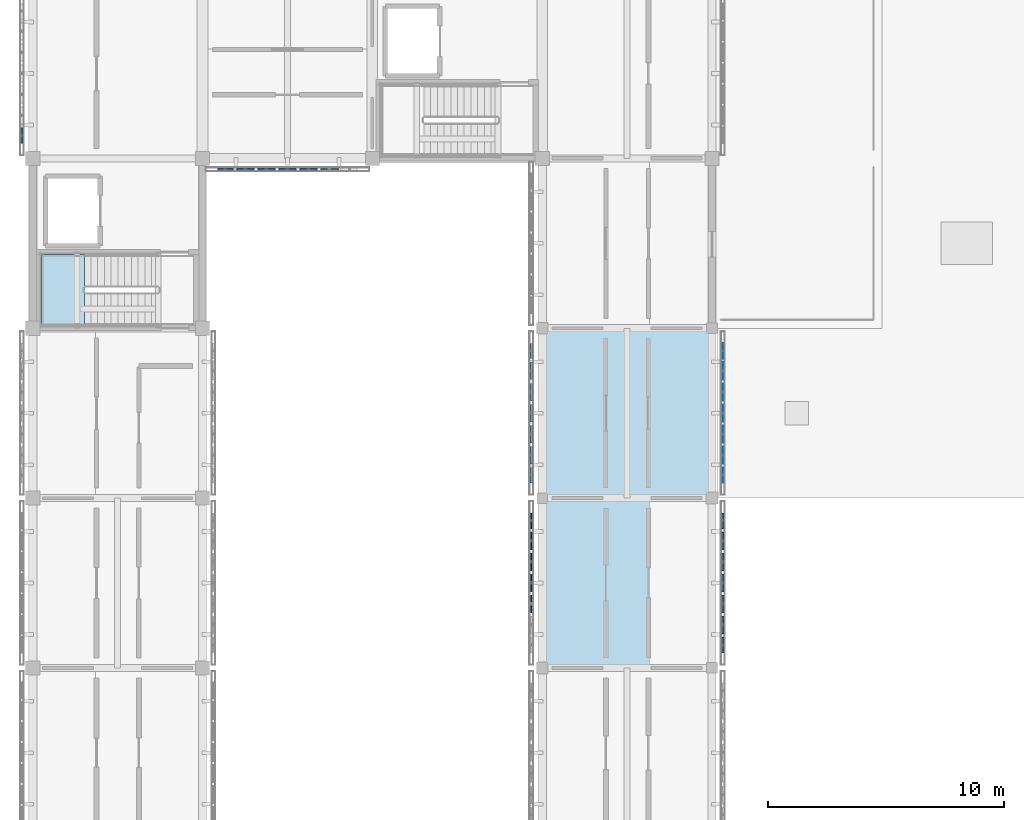
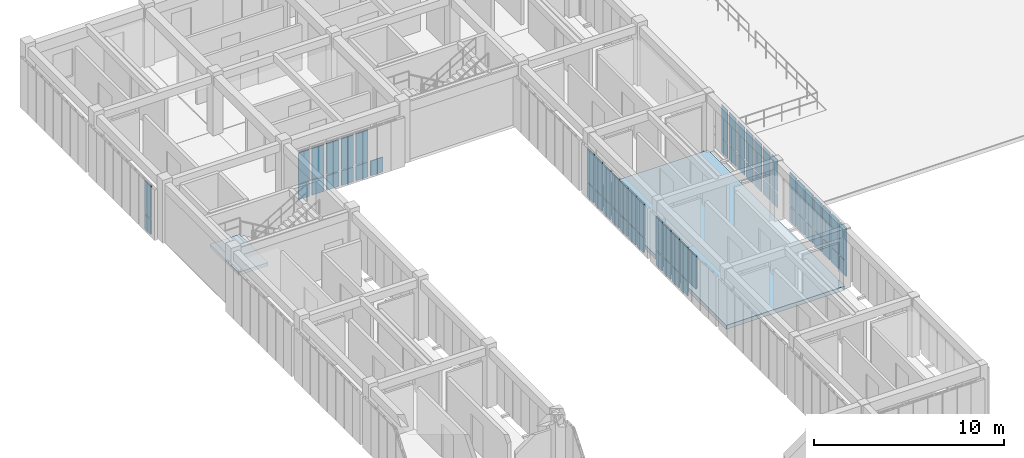
# One storey, part 41 of 67: 64 plates, 2 slabs, 7 elements without a shape of their own.
"""IFC4 building model written with IfcOpenShell, lengths in metres."""

import ifcopenshell
import ifcopenshell.guid

model = None  # the IFC model being written
_history = None  # IfcOwnerHistory: only IFC2X3 demands one
_inside = {}  # id of a spatial element -> (the spatial element, [elements in it])
_under = {}  # id of a project, library or spatial element -> (it, [spatial elements below it])
_declared = {}  # id of a project -> (the project, [libraries it declares])
_typed = {}  # id of a type object -> (the type object, [elements of that type])
_made_of = {}  # id of a material, layer set ... -> (it, [elements and type objects made of it])


def new_model(schema):
    """Start an empty IFC model of exactly this schema.

    Asked for "IFC4X3", IfcOpenShell would pick the latest addendum, in which some entities
    have other attributes; the version numbers below select the first issue.
    IFC2X3 requires an IfcOwnerHistory on every rooted entity: one is made here for all.
    """
    global model, _history
    if schema == "IFC4X3":
        model = ifcopenshell.file(schema_version=(4, 3, 0, 0))
    else:
        model = ifcopenshell.file(schema=schema)
    _inside.clear()
    _under.clear()
    _declared.clear()
    _typed.clear()
    _made_of.clear()
    _history = None
    if model.schema == "IFC2X3":
        org = make("IfcOrganization", Name="unknown")
        user = make(
            "IfcPersonAndOrganization",
            ThePerson=make("IfcPerson", FamilyName="unknown"),
            TheOrganization=org,
        )
        app = make(
            "IfcApplication",
            ApplicationDeveloper=org,
            Version="unknown",
            ApplicationFullName="unknown",
            ApplicationIdentifier="unknown",
        )
        _history = make(
            "IfcOwnerHistory",
            OwningUser=user,
            OwningApplication=app,
            ChangeAction="ADDED",
            CreationDate=0,
        )
    return model


def make(cls, **values):
    """One entity of the class cls with the attributes given. An attribute that is None is left unset."""
    return model.create_entity(
        cls, **{name: value for name, value in values.items() if value is not None}
    )


def rooted(cls, **values):
    """An entity with a GlobalId (a new one), such as an element, a storey or a relation."""
    return make(cls, GlobalId=ifcopenshell.guid.new(), OwnerHistory=_history, **values)


def si_unit(unit_type, name, prefix=None):
    """IfcSIUnit, for example si_unit("LENGTHUNIT", "METRE", prefix="MILLI")."""
    return make("IfcSIUnit", UnitType=unit_type, Prefix=prefix, Name=name)


def assignment(units):
    """IfcUnitAssignment: the units of a project."""
    return None if units is None else make("IfcUnitAssignment", Units=units)


def point(xyz):
    """IfcCartesianPoint."""
    return None if xyz is None else make("IfcCartesianPoint", Coordinates=xyz)


def direction(xyz):
    """IfcDirection."""
    return None if xyz is None else make("IfcDirection", DirectionRatios=xyz)


def frame(location, z_axis=None, x_axis=None):
    """IfcAxis2Placement3D, a coordinate frame: its origin and axes. An axis left out is left unset."""
    return make(
        "IfcAxis2Placement3D",
        Location=point(location),
        Axis=direction(z_axis),
        RefDirection=direction(x_axis),
    )


def frame_2d(location, x_axis=None):
    """IfcAxis2Placement2D, a coordinate frame in the plane: its origin and x axis."""
    return make(
        "IfcAxis2Placement2D", Location=point(location), RefDirection=direction(x_axis)
    )


def origin():
    """The frame at (0, 0, 0) with its axes left unset."""
    return frame((0.0, 0.0, 0.0))


def origin_2d():
    """The frame at (0, 0) in the plane with its x axis left unset."""
    return frame_2d((0.0, 0.0))


def place(relative_to, where):
    """IfcLocalPlacement: puts the frame where relative to a parent placement (None: the world)."""
    return make(
        "IfcLocalPlacement", PlacementRelTo=relative_to, RelativePlacement=where
    )


def context(
    kind, dimensions, precision=None, world=None, true_north=None, identifier=None
):
    """IfcGeometricRepresentationContext, for example the 3D "Model" context."""
    return make(
        "IfcGeometricRepresentationContext",
        ContextIdentifier=identifier,
        ContextType=kind,
        CoordinateSpaceDimension=dimensions,
        Precision=precision,
        WorldCoordinateSystem=world,
        TrueNorth=true_north,
    )


def subcontext(parent, identifier, kind, view, scale=None):
    """IfcGeometricRepresentationSubContext, for example "Body" below "Model"."""
    return make(
        "IfcGeometricRepresentationSubContext",
        ContextIdentifier=identifier,
        ContextType=kind,
        ParentContext=parent,
        TargetScale=scale,
        TargetView=view,
    )


def project(units=None, contexts=None):
    """IfcProject with its units and contexts."""
    return rooted(
        "IfcProject",
        Name="project",
        RepresentationContexts=contexts,
        UnitsInContext=assignment(units),
    )


def spatial(cls, under=None, at=None, **own):
    """A site, building, storey or space (cls), placed at a placement, below another one or the project."""
    s = rooted(cls, ObjectPlacement=at, **own)
    if under is not None:
        _under.setdefault(under.id(), (under, []))[1].append(s)
    return s


def polyline(points):
    """IfcPolyline through the points."""
    return make("IfcPolyline", Points=[point(p) for p in points])


def profile(cls, at=None, kind="AREA", **sizes):
    """A parametric profile (cls). Its sizes go by their IFC names, for example OverallWidth=200.0."""
    return make(cls, ProfileType=kind, Position=at, **sizes)


def rectangle(**sizes):
    """IfcRectangleProfileDef."""
    return profile("IfcRectangleProfileDef", **sizes)


def outline(outer, holes=None, kind="AREA"):
    """IfcArbitraryClosedProfileDef: a profile drawn as a closed curve; with holes, ...WithVoids."""
    if holes is None:
        return make("IfcArbitraryClosedProfileDef", ProfileType=kind, OuterCurve=outer)
    return make(
        "IfcArbitraryProfileDefWithVoids",
        ProfileType=kind,
        OuterCurve=outer,
        InnerCurves=holes,
    )


def extrude(swept, where, along, depth):
    """IfcExtrudedAreaSolid: the profile swept, set in the frame where, extruded along a direction by depth."""
    return make(
        "IfcExtrudedAreaSolid",
        SweptArea=swept,
        Position=where,
        ExtrudedDirection=direction(along),
        Depth=depth,
    )


def shape(context_of_items, identifier, shape_type, items):
    """IfcShapeRepresentation: the items that make up one representation, for example the "Body"."""
    return make(
        "IfcShapeRepresentation",
        ContextOfItems=context_of_items,
        RepresentationIdentifier=identifier,
        RepresentationType=shape_type,
        Items=items,
    )


def material(Name=None, Category=None):
    """IfcMaterial."""
    return make("IfcMaterial", Name=Name, Category=Category)


def layer(
    of_material, thickness, ventilated=None, Name=None, Category=None, Priority=None
):
    """IfcMaterialLayer: one layer of a wall or slab, of a material (None: an air gap)."""
    return make(
        "IfcMaterialLayer",
        Material=of_material,
        LayerThickness=thickness,
        IsVentilated=ventilated,
        Name=Name,
        Category=Category,
        Priority=Priority,
    )


def layer_set(layers, Name=None):
    """IfcMaterialLayerSet."""
    return make("IfcMaterialLayerSet", MaterialLayers=layers, LayerSetName=Name)


def made_of(thing, what):
    """Note that an element or type object is made of a material, layer set ...; save() writes the relation."""
    if what is not None:
        _made_of.setdefault(what.id(), (what, []))[1].append(thing)
    return thing


def type_object(cls, material=None, **own):
    """A type object (cls), such as IfcWallType, which elements share."""
    return made_of(rooted(cls, **own), material)


def element(
    cls,
    number,
    at=None,
    inside=None,
    cuts=None,
    type_object=None,
    material=None,
    context=None,
    identifier="Body",
    shape_type=None,
    held_by="IfcProductDefinitionShape",
    body=None,
    shapes=None,
    **own,
):
    """One element of the class cls, such as IfcWall. Its Tag is "e" and its number.

    at: its placement. inside: the storey or other place that contains it. cuts: it is an
    opening in that element (IfcRelVoidsElement). A single representation is given by context,
    identifier, shape_type and body (its items); several are given by shapes. held_by: the class
    of the entity that holds the representations. save() writes the other relations.
    """
    e = rooted(cls, Tag="e%d" % number, ObjectPlacement=at, **own)
    if body is not None:
        shapes = [shape(context, identifier, shape_type, body)]
    if shapes is not None:
        e.Representation = make(held_by, Representations=shapes)
    if inside is not None:
        _inside.setdefault(inside.id(), (inside, []))[1].append(e)
    if cuts is not None:
        rooted(
            "IfcRelVoidsElement", RelatingBuildingElement=cuts, RelatedOpeningElement=e
        )
    if type_object is not None:
        _typed.setdefault(type_object.id(), (type_object, []))[1].append(e)
    return made_of(e, material)


def aggregate(whole, parts):
    """IfcRelAggregates: a whole, such as a stair, and the parts it consists of."""
    return rooted("IfcRelAggregates", RelatingObject=whole, RelatedObjects=parts)


def save(model, path):
    """Write the relations noted so far, then the file.

    IfcRelAggregates (storeys below a building ...), IfcRelContainedInSpatialStructure (elements
    in a storey), IfcRelDefinesByType, IfcRelAssociatesMaterial and IfcRelDeclares: one each for
    every whole, place, type object, material and project.
    """
    for whole, parts in _under.values():
        aggregate(whole, parts)
    for where, things in _inside.values():
        rooted(
            "IfcRelContainedInSpatialStructure",
            RelatedElements=things,
            RelatingStructure=where,
        )
    for kind, things in _typed.values():
        rooted("IfcRelDefinesByType", RelatedObjects=things, RelatingType=kind)
    for what, things in _made_of.values():
        rooted("IfcRelAssociatesMaterial", RelatedObjects=things, RelatingMaterial=what)
    for by, libraries in _declared.values():
        rooted("IfcRelDeclares", RelatingContext=by, RelatedDefinitions=libraries)
    model.write(path)


model = new_model("IFC4")

# Units and contexts
model_context = context("Model", 3, precision=1e-05, world=origin(), true_north=direction((0.0, 1.0)))
body_context = subcontext(model_context, "Body", "Model", "MODEL_VIEW")
ifc_project = project(units=[si_unit("LENGTHUNIT", "METRE"), si_unit("AREAUNIT", "SQUARE_METRE"), si_unit("VOLUMEUNIT", "CUBIC_METRE"), si_unit("PLANEANGLEUNIT", "RADIAN"), si_unit("MASSUNIT", "GRAM", prefix="KILO")], contexts=[model_context])

# Site, building, storey
site_placement = place(None, origin())
site = spatial("IfcSite", under=ifc_project, at=site_placement, CompositionType="ELEMENT")
building_placement = place(site_placement, origin())
building = spatial("IfcBuilding", under=site, at=building_placement, Name="Aldebral Square Health Centre", CompositionType="ELEMENT")
storey_placement = place(building_placement, frame((0.0, 0.0, 13.5)))
storey = spatial("IfcBuildingStorey", under=building, at=storey_placement, Name="L03", CompositionType="ELEMENT", Elevation=13.5)

# Curtain wall, plates
ifc_material_1 = material(Name="Aluminium and low-E solar glass", Category="aluminium")
curtain_wall_type = type_object("IfcCurtainWallType", Name="CW-FIN-SYS", PredefinedType="USERDEFINED", material=ifc_material_1)
curtain_wall_1_placement = place(storey_placement, origin())
curtain_wall_1 = element("IfcCurtainWall", 1, at=curtain_wall_1_placement, inside=storey, type_object=curtain_wall_type, Name="L03 V4 finned curtain wall L03-V4-03-12-E", ObjectType="SOLAR_CURTAIN_WALL", PredefinedType="USERDEFINED")
ifc_material_2 = material(Name="Solar-control low-E double glass", Category="glass")
ifc_layer_1 = layer(ifc_material_2, 0.02001953125, Name="Solar-control low-E double glass", Category="glass")
ifc_layer_set_1 = layer_set([ifc_layer_1], Name="Solar-control low-E double glass")
plate_type_1 = type_object("IfcPlateType", Name="CWP-GLZ-1", PredefinedType="CURTAIN_PANEL", material=ifc_layer_set_1)
plate_1_placement = place(storey_placement, frame((29.260009765625, 87.36572265625, 0.074951171875), z_axis=(0.0, 0.0, 1.0), x_axis=(0.0, 1.0, 0.0)))
plate_1 = element("IfcPlate", 2, at=plate_1_placement, type_object=plate_type_1, Name="CW1 panel 1.1", PredefinedType="CURTAIN_PANEL", context=body_context, shape_type="SweptSolid", body=[
    extrude(rectangle(XDim=0.6513671875, YDim=0.02001953125, at=origin_2d()), origin(), (0.0, 0.0, 1.0), 0.9375),
])
plate_2_placement = place(storey_placement, frame((29.260009765625, 87.36572265625, 1.08740234375), z_axis=(0.0, 0.0, 1.0), x_axis=(0.0, 1.0, 0.0)))
plate_2 = element("IfcPlate", 3, at=plate_2_placement, type_object=plate_type_1, Name="CW1 panel 1.2", PredefinedType="CURTAIN_PANEL", context=body_context, shape_type="SweptSolid", body=[
    extrude(rectangle(XDim=0.6513671875, YDim=0.02001953125, at=origin_2d()), origin(), (0.0, 0.0, 1.0), 2.077392578125),
])
plate_3_placement = place(storey_placement, frame((29.260009765625, 88.217041015625, 0.074951171875), z_axis=(0.0, 0.0, 1.0), x_axis=(0.0, 1.0, 0.0)))
plate_3 = element("IfcPlate", 4, at=plate_3_placement, type_object=plate_type_1, Name="CW1 panel 2.1", PredefinedType="CURTAIN_PANEL", context=body_context, shape_type="SweptSolid", body=[
    extrude(rectangle(XDim=0.7314453125, YDim=0.02001953125, at=origin_2d()), origin(), (0.0, 0.0, 1.0), 0.9375),
])
plate_4_placement = place(storey_placement, frame((29.260009765625, 88.217041015625, 1.08740234375), z_axis=(0.0, 0.0, 1.0), x_axis=(0.0, 1.0, 0.0)))
plate_4 = element("IfcPlate", 5, at=plate_4_placement, type_object=plate_type_1, Name="CW1 panel 2.2", PredefinedType="CURTAIN_PANEL", context=body_context, shape_type="SweptSolid", body=[
    extrude(rectangle(XDim=0.7314453125, YDim=0.02001953125, at=origin_2d()), origin(), (0.0, 0.0, 1.0), 2.077392578125),
])
plate_5_placement = place(storey_placement, frame((29.260009765625, 89.108642578125, 0.074951171875), z_axis=(0.0, 0.0, 1.0), x_axis=(0.0, 1.0, 0.0)))
plate_5 = element("IfcPlate", 6, at=plate_5_placement, type_object=plate_type_1, Name="CW1 panel 3.1", PredefinedType="CURTAIN_PANEL", context=body_context, shape_type="SweptSolid", body=[
    extrude(rectangle(XDim=0.7314453125, YDim=0.02001953125, at=origin_2d()), origin(), (0.0, 0.0, 1.0), 0.9375),
])
plate_6_placement = place(storey_placement, frame((29.260009765625, 89.108642578125, 1.08740234375), z_axis=(0.0, 0.0, 1.0), x_axis=(0.0, 1.0, 0.0)))
plate_6 = element("IfcPlate", 7, at=plate_6_placement, type_object=plate_type_1, Name="CW1 panel 3.2", PredefinedType="CURTAIN_PANEL", context=body_context, shape_type="SweptSolid", body=[
    extrude(rectangle(XDim=0.7314453125, YDim=0.02001953125, at=origin_2d()), origin(), (0.0, 0.0, 1.0), 2.077392578125),
])
plate_7_placement = place(storey_placement, frame((29.260009765625, 90.0, 0.074951171875), z_axis=(0.0, 0.0, 1.0), x_axis=(0.0, 1.0, 0.0)))
plate_7 = element("IfcPlate", 8, at=plate_7_placement, type_object=plate_type_1, Name="CW1 panel 4.1", PredefinedType="CURTAIN_PANEL", context=body_context, shape_type="SweptSolid", body=[
    extrude(rectangle(XDim=0.7314453125, YDim=0.02001953125, at=origin_2d()), origin(), (0.0, 0.0, 1.0), 0.9375),
])
plate_8_placement = place(storey_placement, frame((29.260009765625, 90.0, 1.08740234375), z_axis=(0.0, 0.0, 1.0), x_axis=(0.0, 1.0, 0.0)))
plate_8 = element("IfcPlate", 9, at=plate_8_placement, type_object=plate_type_1, Name="CW1 panel 4.2", PredefinedType="CURTAIN_PANEL", context=body_context, shape_type="SweptSolid", body=[
    extrude(rectangle(XDim=0.7314453125, YDim=0.02001953125, at=origin_2d()), origin(), (0.0, 0.0, 1.0), 2.077392578125),
])
plate_9_placement = place(storey_placement, frame((29.260009765625, 90.891357421875, 0.074951171875), z_axis=(0.0, 0.0, 1.0), x_axis=(0.0, 1.0, 0.0)))
plate_9 = element("IfcPlate", 10, at=plate_9_placement, type_object=plate_type_1, Name="CW1 panel 5.1", PredefinedType="CURTAIN_PANEL", context=body_context, shape_type="SweptSolid", body=[
    extrude(rectangle(XDim=0.7314453125, YDim=0.02001953125, at=origin_2d()), origin(), (0.0, 0.0, 1.0), 0.9375),
])
plate_10_placement = place(storey_placement, frame((29.260009765625, 90.891357421875, 1.08740234375), z_axis=(0.0, 0.0, 1.0), x_axis=(0.0, 1.0, 0.0)))
plate_10 = element("IfcPlate", 11, at=plate_10_placement, type_object=plate_type_1, Name="CW1 panel 5.2", PredefinedType="CURTAIN_PANEL", context=body_context, shape_type="SweptSolid", body=[
    extrude(rectangle(XDim=0.7314453125, YDim=0.02001953125, at=origin_2d()), origin(), (0.0, 0.0, 1.0), 2.077392578125),
])
plate_11_placement = place(storey_placement, frame((29.260009765625, 91.782958984375, 0.074951171875), z_axis=(0.0, 0.0, 1.0), x_axis=(0.0, 1.0, 0.0)))
plate_11 = element("IfcPlate", 12, at=plate_11_placement, type_object=plate_type_1, Name="CW1 panel 6.1", PredefinedType="CURTAIN_PANEL", context=body_context, shape_type="SweptSolid", body=[
    extrude(rectangle(XDim=0.7314453125, YDim=0.02001953125, at=origin_2d()), origin(), (0.0, 0.0, 1.0), 0.9375),
])
plate_12_placement = place(storey_placement, frame((29.260009765625, 91.782958984375, 1.08740234375), z_axis=(0.0, 0.0, 1.0), x_axis=(0.0, 1.0, 0.0)))
plate_12 = element("IfcPlate", 13, at=plate_12_placement, type_object=plate_type_1, Name="CW1 panel 6.2", PredefinedType="CURTAIN_PANEL", context=body_context, shape_type="SweptSolid", body=[
    extrude(rectangle(XDim=0.7314453125, YDim=0.02001953125, at=origin_2d()), origin(), (0.0, 0.0, 1.0), 2.077392578125),
])
plate_13_placement = place(storey_placement, frame((29.260009765625, 92.63427734375, 0.074951171875), z_axis=(0.0, 0.0, 1.0), x_axis=(0.0, 1.0, 0.0)))
plate_13 = element("IfcPlate", 14, at=plate_13_placement, type_object=plate_type_1, Name="CW1 panel 7.1", PredefinedType="CURTAIN_PANEL", context=body_context, shape_type="SweptSolid", body=[
    extrude(rectangle(XDim=0.6513671875, YDim=0.02001953125, at=origin_2d()), origin(), (0.0, 0.0, 1.0), 0.9375),
])
plate_14_placement = place(storey_placement, frame((29.260009765625, 92.63427734375, 1.08740234375), z_axis=(0.0, 0.0, 1.0), x_axis=(0.0, 1.0, 0.0)))
plate_14 = element("IfcPlate", 15, at=plate_14_placement, type_object=plate_type_1, Name="CW1 panel 7.2", PredefinedType="CURTAIN_PANEL", context=body_context, shape_type="SweptSolid", body=[
    extrude(rectangle(XDim=0.6513671875, YDim=0.02001953125, at=origin_2d()), origin(), (0.0, 0.0, 1.0), 2.077392578125),
])
aggregate(curtain_wall_1, [plate_1, plate_2, plate_3, plate_4, plate_5, plate_6, plate_7, plate_8, plate_9, plate_10, plate_11, plate_12, plate_13, plate_14])

curtain_wall_2_placement = place(storey_placement, origin())
curtain_wall_2 = element("IfcCurtainWall", 16, at=curtain_wall_2_placement, inside=storey, type_object=curtain_wall_type, Name="L03 V4 finned curtain wall L03-V4-01-14-S", ObjectType="SOLAR_CURTAIN_WALL", PredefinedType="USERDEFINED")
ifc_layer_2 = layer(ifc_material_2, 0.070068359375, Name="Solar-control low-E double glass", Category="glass")
ifc_layer_set_2 = layer_set([ifc_layer_2], Name="Solar-control low-E double glass")
plate_type_2 = type_object("IfcPlateType", Name="CWP-GLZ-6", PredefinedType="CURTAIN_PANEL", material=ifc_layer_set_2)
plate_15_placement = place(storey_placement, frame((8.165771484375, 100.340087890625, 0.074951171875), z_axis=(0.0, 0.0, 1.0), x_axis=(1.0, 0.0, 0.0)))
plate_15 = element("IfcPlate", 17, at=plate_15_placement, type_object=plate_type_2, Name="CW1 panel 1.1", PredefinedType="CURTAIN_PANEL", context=body_context, shape_type="SweptSolid", body=[
    extrude(rectangle(XDim=0.6513671875, YDim=0.070068359375, at=origin_2d()), origin(), (0.0, 0.0, 1.0), 0.9375),
])
plate_16_placement = place(storey_placement, frame((8.165771484375, 100.340087890625, 1.08740234375), z_axis=(0.0, 0.0, 1.0), x_axis=(1.0, 0.0, 0.0)))
plate_16 = element("IfcPlate", 18, at=plate_16_placement, type_object=plate_type_2, Name="CW1 panel 1.2", PredefinedType="CURTAIN_PANEL", context=body_context, shape_type="SweptSolid", body=[
    extrude(rectangle(XDim=0.6513671875, YDim=0.070068359375, at=origin_2d()), origin(), (0.0, 0.0, 1.0), 1.9775390625),
])
plate_17_placement = place(storey_placement, frame((9.01708984375, 100.340087890625, 0.074951171875), z_axis=(0.0, 0.0, 1.0), x_axis=(1.0, 0.0, 0.0)))
plate_17 = element("IfcPlate", 19, at=plate_17_placement, type_object=plate_type_2, Name="CW1 panel 2.1", PredefinedType="CURTAIN_PANEL", context=body_context, shape_type="SweptSolid", body=[
    extrude(rectangle(XDim=0.7314453125, YDim=0.070068359375, at=origin_2d()), origin(), (0.0, 0.0, 1.0), 0.9375),
])
plate_18_placement = place(storey_placement, frame((9.01708984375, 100.340087890625, 1.08740234375), z_axis=(0.0, 0.0, 1.0), x_axis=(1.0, 0.0, 0.0)))
plate_18 = element("IfcPlate", 20, at=plate_18_placement, type_object=plate_type_2, Name="CW1 panel 2.2", PredefinedType="CURTAIN_PANEL", context=body_context, shape_type="SweptSolid", body=[
    extrude(rectangle(XDim=0.7314453125, YDim=0.070068359375, at=origin_2d()), origin(), (0.0, 0.0, 1.0), 1.9775390625),
])
plate_19_placement = place(storey_placement, frame((9.90869140625, 100.340087890625, 0.074951171875), z_axis=(0.0, 0.0, 1.0), x_axis=(1.0, 0.0, 0.0)))
plate_19 = element("IfcPlate", 21, at=plate_19_placement, type_object=plate_type_2, Name="CW1 panel 3.1", PredefinedType="CURTAIN_PANEL", context=body_context, shape_type="SweptSolid", body=[
    extrude(rectangle(XDim=0.7314453125, YDim=0.070068359375, at=origin_2d()), origin(), (0.0, 0.0, 1.0), 0.9375),
])
plate_20_placement = place(storey_placement, frame((9.90869140625, 100.340087890625, 1.08740234375), z_axis=(0.0, 0.0, 1.0), x_axis=(1.0, 0.0, 0.0)))
plate_20 = element("IfcPlate", 22, at=plate_20_placement, type_object=plate_type_2, Name="CW1 panel 3.2", PredefinedType="CURTAIN_PANEL", context=body_context, shape_type="SweptSolid", body=[
    extrude(rectangle(XDim=0.7314453125, YDim=0.070068359375, at=origin_2d()), origin(), (0.0, 0.0, 1.0), 1.9775390625),
])
plate_21_placement = place(storey_placement, frame((10.800048828125, 100.340087890625, 0.074951171875), z_axis=(0.0, 0.0, 1.0), x_axis=(1.0, 0.0, 0.0)))
plate_21 = element("IfcPlate", 23, at=plate_21_placement, type_object=plate_type_2, Name="CW1 panel 4.1", PredefinedType="CURTAIN_PANEL", context=body_context, shape_type="SweptSolid", body=[
    extrude(rectangle(XDim=0.7314453125, YDim=0.070068359375, at=origin_2d()), origin(), (0.0, 0.0, 1.0), 0.9375),
])
plate_22_placement = place(storey_placement, frame((10.800048828125, 100.340087890625, 1.08740234375), z_axis=(0.0, 0.0, 1.0), x_axis=(1.0, 0.0, 0.0)))
plate_22 = element("IfcPlate", 24, at=plate_22_placement, type_object=plate_type_2, Name="CW1 panel 4.2", PredefinedType="CURTAIN_PANEL", context=body_context, shape_type="SweptSolid", body=[
    extrude(rectangle(XDim=0.7314453125, YDim=0.070068359375, at=origin_2d()), origin(), (0.0, 0.0, 1.0), 1.9775390625),
])
plate_23_placement = place(storey_placement, frame((11.69140625, 100.340087890625, 0.074951171875), z_axis=(0.0, 0.0, 1.0), x_axis=(1.0, 0.0, 0.0)))
plate_23 = element("IfcPlate", 25, at=plate_23_placement, type_object=plate_type_2, Name="CW1 panel 5.1", PredefinedType="CURTAIN_PANEL", context=body_context, shape_type="SweptSolid", body=[
    extrude(rectangle(XDim=0.7314453125, YDim=0.070068359375, at=origin_2d()), origin(), (0.0, 0.0, 1.0), 0.9375),
])
plate_24_placement = place(storey_placement, frame((11.69140625, 100.340087890625, 1.08740234375), z_axis=(0.0, 0.0, 1.0), x_axis=(1.0, 0.0, 0.0)))
plate_24 = element("IfcPlate", 26, at=plate_24_placement, type_object=plate_type_2, Name="CW1 panel 5.2", PredefinedType="CURTAIN_PANEL", context=body_context, shape_type="SweptSolid", body=[
    extrude(rectangle(XDim=0.7314453125, YDim=0.070068359375, at=origin_2d()), origin(), (0.0, 0.0, 1.0), 1.9775390625),
])
plate_25_placement = place(storey_placement, frame((12.582763671875, 100.340087890625, 0.074951171875), z_axis=(0.0, 0.0, 1.0), x_axis=(1.0, 0.0, 0.0)))
plate_25 = element("IfcPlate", 27, at=plate_25_placement, type_object=plate_type_2, Name="CW1 panel 6.1", PredefinedType="CURTAIN_PANEL", context=body_context, shape_type="SweptSolid", body=[
    extrude(rectangle(XDim=0.7314453125, YDim=0.070068359375, at=origin_2d()), origin(), (0.0, 0.0, 1.0), 0.9375),
])
aggregate(curtain_wall_2, [plate_15, plate_16, plate_17, plate_18, plate_19, plate_20, plate_21, plate_22, plate_23, plate_24, plate_25])

curtain_wall_3_placement = place(storey_placement, origin())
curtain_wall_3 = element("IfcCurtainWall", 28, at=curtain_wall_3_placement, inside=storey, type_object=curtain_wall_type, Name="L03 V4 finned curtain wall L03-V4-03-11-W", ObjectType="SOLAR_CURTAIN_WALL", PredefinedType="USERDEFINED")
plate_26_placement = place(storey_placement, frame((21.139892578125, 85.434326171875, 0.074951171875), z_axis=(0.0, 0.0, 1.0), x_axis=(0.0, -1.0, 0.0)))
plate_26 = element("IfcPlate", 29, at=plate_26_placement, type_object=plate_type_2, Name="CW1 panel 1.1", PredefinedType="CURTAIN_PANEL", context=body_context, shape_type="SweptSolid", body=[
    extrude(rectangle(XDim=0.6513671875, YDim=0.070068359375, at=origin_2d()), origin(), (0.0, 0.0, 1.0), 0.9375),
])
plate_27_placement = place(storey_placement, frame((21.139892578125, 85.434326171875, 1.08740234375), z_axis=(0.0, 0.0, 1.0), x_axis=(0.0, -1.0, 0.0)))
plate_27 = element("IfcPlate", 30, at=plate_27_placement, type_object=plate_type_2, Name="CW1 panel 1.2", PredefinedType="CURTAIN_PANEL", context=body_context, shape_type="SweptSolid", body=[
    extrude(rectangle(XDim=0.6513671875, YDim=0.070068359375, at=origin_2d()), origin(), (0.0, 0.0, 1.0), 2.077392578125),
])
plate_28_placement = place(storey_placement, frame((21.139892578125, 84.582763671875, 0.074951171875), z_axis=(0.0, 0.0, 1.0), x_axis=(0.0, -1.0, 0.0)))
plate_28 = element("IfcPlate", 31, at=plate_28_placement, type_object=plate_type_2, Name="CW1 panel 2.1", PredefinedType="CURTAIN_PANEL", context=body_context, shape_type="SweptSolid", body=[
    extrude(rectangle(XDim=0.7314453125, YDim=0.070068359375, at=origin_2d()), origin(), (0.0, 0.0, 1.0), 0.9375),
])
plate_29_placement = place(storey_placement, frame((21.139892578125, 84.582763671875, 1.08740234375), z_axis=(0.0, 0.0, 1.0), x_axis=(0.0, -1.0, 0.0)))
plate_29 = element("IfcPlate", 32, at=plate_29_placement, type_object=plate_type_2, Name="CW1 panel 2.2", PredefinedType="CURTAIN_PANEL", context=body_context, shape_type="SweptSolid", body=[
    extrude(rectangle(XDim=0.7314453125, YDim=0.070068359375, at=origin_2d()), origin(), (0.0, 0.0, 1.0), 2.077392578125),
])
plate_30_placement = place(storey_placement, frame((21.139892578125, 83.69140625, 0.074951171875), z_axis=(0.0, 0.0, 1.0), x_axis=(0.0, -1.0, 0.0)))
plate_30 = element("IfcPlate", 33, at=plate_30_placement, type_object=plate_type_2, Name="CW1 panel 3.1", PredefinedType="CURTAIN_PANEL", context=body_context, shape_type="SweptSolid", body=[
    extrude(rectangle(XDim=0.7314453125, YDim=0.070068359375, at=origin_2d()), origin(), (0.0, 0.0, 1.0), 0.9375),
])
plate_31_placement = place(storey_placement, frame((21.139892578125, 83.69140625, 1.08740234375), z_axis=(0.0, 0.0, 1.0), x_axis=(0.0, -1.0, 0.0)))
plate_31 = element("IfcPlate", 34, at=plate_31_placement, type_object=plate_type_2, Name="CW1 panel 3.2", PredefinedType="CURTAIN_PANEL", context=body_context, shape_type="SweptSolid", body=[
    extrude(rectangle(XDim=0.7314453125, YDim=0.070068359375, at=origin_2d()), origin(), (0.0, 0.0, 1.0), 2.077392578125),
])
plate_32_placement = place(storey_placement, frame((21.139892578125, 82.800048828125, 0.074951171875), z_axis=(0.0, 0.0, 1.0), x_axis=(0.0, -1.0, 0.0)))
plate_32 = element("IfcPlate", 35, at=plate_32_placement, type_object=plate_type_2, Name="CW1 panel 4.1", PredefinedType="CURTAIN_PANEL", context=body_context, shape_type="SweptSolid", body=[
    extrude(rectangle(XDim=0.7314453125, YDim=0.070068359375, at=origin_2d()), origin(), (0.0, 0.0, 1.0), 0.9375),
])
plate_33_placement = place(storey_placement, frame((21.139892578125, 82.800048828125, 1.08740234375), z_axis=(0.0, 0.0, 1.0), x_axis=(0.0, -1.0, 0.0)))
plate_33 = element("IfcPlate", 36, at=plate_33_placement, type_object=plate_type_2, Name="CW1 panel 4.2", PredefinedType="CURTAIN_PANEL", context=body_context, shape_type="SweptSolid", body=[
    extrude(rectangle(XDim=0.7314453125, YDim=0.070068359375, at=origin_2d()), origin(), (0.0, 0.0, 1.0), 2.077392578125),
])
plate_34_placement = place(storey_placement, frame((21.139892578125, 81.90869140625, 1.08740234375), z_axis=(0.0, 0.0, 1.0), x_axis=(0.0, -1.0, 0.0)))
plate_34 = element("IfcPlate", 37, at=plate_34_placement, type_object=plate_type_2, Name="CW1 panel 5.2", PredefinedType="CURTAIN_PANEL", context=body_context, shape_type="SweptSolid", body=[
    extrude(rectangle(XDim=0.7314453125, YDim=0.070068359375, at=origin_2d()), origin(), (0.0, 0.0, 1.0), 2.077392578125),
])
aggregate(curtain_wall_3, [plate_26, plate_27, plate_28, plate_29, plate_30, plate_31, plate_32, plate_33, plate_34])

curtain_wall_4_placement = place(storey_placement, origin())
curtain_wall_4 = element("IfcCurtainWall", 38, at=curtain_wall_4_placement, inside=storey, type_object=curtain_wall_type, Name="L03 V4 finned curtain wall L03-V4-00-14-W", ObjectType="SOLAR_CURTAIN_WALL", PredefinedType="USERDEFINED")
ifc_layer_3 = layer(ifc_material_2, 0.080078125, Name="Solar-control low-E double glass", Category="glass")
ifc_layer_set_3 = layer_set([ifc_layer_3], Name="Solar-control low-E double glass")
plate_type_3 = type_object("IfcPlateType", Name="CWP-GLZ-7", PredefinedType="CURTAIN_PANEL", material=ifc_layer_set_3)
plate_35_placement = place(storey_placement, frame((-0.4599609375, 101.765625, 0.074951171875), z_axis=(0.0, 0.0, 1.0), x_axis=(0.0, -1.0, 0.0)))
plate_35 = element("IfcPlate", 39, at=plate_35_placement, type_object=plate_type_3, Name="CW1 panel 7.1", PredefinedType="CURTAIN_PANEL", context=body_context, shape_type="SweptSolid", body=[
    extrude(rectangle(XDim=0.6513671875, YDim=0.080078125, at=origin_2d()), origin(), (0.0, 0.0, 1.0), 0.9375),
])
plate_36_placement = place(storey_placement, frame((-0.4599609375, 101.765625, 1.08740234375), z_axis=(0.0, 0.0, 1.0), x_axis=(0.0, -1.0, 0.0)))
plate_36 = element("IfcPlate", 40, at=plate_36_placement, type_object=plate_type_3, Name="CW1 panel 7.2", PredefinedType="CURTAIN_PANEL", context=body_context, shape_type="SweptSolid", body=[
    extrude(rectangle(XDim=0.6513671875, YDim=0.080078125, at=origin_2d()), origin(), (0.0, 0.0, 1.0), 2.077392578125),
])
aggregate(curtain_wall_4, [plate_35, plate_36])

curtain_wall_5_placement = place(storey_placement, origin())
curtain_wall_5 = element("IfcCurtainWall", 41, at=curtain_wall_5_placement, inside=storey, type_object=curtain_wall_type, Name="L03 V4 finned curtain wall L03-V4-03-11-E", ObjectType="SOLAR_CURTAIN_WALL", PredefinedType="USERDEFINED")
plate_37_placement = place(storey_placement, frame((29.260009765625, 80.165771484375, 0.074951171875), z_axis=(0.0, 0.0, 1.0), x_axis=(0.0, 1.0, 0.0)))
plate_37 = element("IfcPlate", 42, at=plate_37_placement, type_object=plate_type_3, Name="CW1 panel 1.1", PredefinedType="CURTAIN_PANEL", context=body_context, shape_type="SweptSolid", body=[
    extrude(rectangle(XDim=0.6513671875, YDim=0.080078125, at=origin_2d()), origin(), (0.0, 0.0, 1.0), 0.9375),
])
plate_38_placement = place(storey_placement, frame((29.260009765625, 80.165771484375, 1.08740234375), z_axis=(0.0, 0.0, 1.0), x_axis=(0.0, 1.0, 0.0)))
plate_38 = element("IfcPlate", 43, at=plate_38_placement, type_object=plate_type_3, Name="CW1 panel 1.2", PredefinedType="CURTAIN_PANEL", context=body_context, shape_type="SweptSolid", body=[
    extrude(rectangle(XDim=0.6513671875, YDim=0.080078125, at=origin_2d()), origin(), (0.0, 0.0, 1.0), 2.077392578125),
])
plate_39_placement = place(storey_placement, frame((29.260009765625, 81.01708984375, 0.074951171875), z_axis=(0.0, 0.0, 1.0), x_axis=(0.0, 1.0, 0.0)))
plate_39 = element("IfcPlate", 44, at=plate_39_placement, type_object=plate_type_3, Name="CW1 panel 2.1", PredefinedType="CURTAIN_PANEL", context=body_context, shape_type="SweptSolid", body=[
    extrude(rectangle(XDim=0.7314453125, YDim=0.080078125, at=origin_2d()), origin(), (0.0, 0.0, 1.0), 0.9375),
])
plate_40_placement = place(storey_placement, frame((29.260009765625, 81.01708984375, 1.08740234375), z_axis=(0.0, 0.0, 1.0), x_axis=(0.0, 1.0, 0.0)))
plate_40 = element("IfcPlate", 45, at=plate_40_placement, type_object=plate_type_3, Name="CW1 panel 2.2", PredefinedType="CURTAIN_PANEL", context=body_context, shape_type="SweptSolid", body=[
    extrude(rectangle(XDim=0.7314453125, YDim=0.080078125, at=origin_2d()), origin(), (0.0, 0.0, 1.0), 2.077392578125),
])
plate_41_placement = place(storey_placement, frame((29.260009765625, 81.90869140625, 0.074951171875), z_axis=(0.0, 0.0, 1.0), x_axis=(0.0, 1.0, 0.0)))
plate_41 = element("IfcPlate", 46, at=plate_41_placement, type_object=plate_type_3, Name="CW1 panel 3.1", PredefinedType="CURTAIN_PANEL", context=body_context, shape_type="SweptSolid", body=[
    extrude(rectangle(XDim=0.7314453125, YDim=0.080078125, at=origin_2d()), origin(), (0.0, 0.0, 1.0), 0.9375),
])
plate_42_placement = place(storey_placement, frame((29.260009765625, 81.90869140625, 1.08740234375), z_axis=(0.0, 0.0, 1.0), x_axis=(0.0, 1.0, 0.0)))
plate_42 = element("IfcPlate", 47, at=plate_42_placement, type_object=plate_type_3, Name="CW1 panel 3.2", PredefinedType="CURTAIN_PANEL", context=body_context, shape_type="SweptSolid", body=[
    extrude(rectangle(XDim=0.7314453125, YDim=0.080078125, at=origin_2d()), origin(), (0.0, 0.0, 1.0), 2.077392578125),
])
plate_43_placement = place(storey_placement, frame((29.260009765625, 82.800048828125, 0.074951171875), z_axis=(0.0, 0.0, 1.0), x_axis=(0.0, 1.0, 0.0)))
plate_43 = element("IfcPlate", 48, at=plate_43_placement, type_object=plate_type_3, Name="CW1 panel 4.1", PredefinedType="CURTAIN_PANEL", context=body_context, shape_type="SweptSolid", body=[
    extrude(rectangle(XDim=0.7314453125, YDim=0.080078125, at=origin_2d()), origin(), (0.0, 0.0, 1.0), 0.9375),
])
plate_44_placement = place(storey_placement, frame((29.260009765625, 82.800048828125, 1.08740234375), z_axis=(0.0, 0.0, 1.0), x_axis=(0.0, 1.0, 0.0)))
plate_44 = element("IfcPlate", 49, at=plate_44_placement, type_object=plate_type_3, Name="CW1 panel 4.2", PredefinedType="CURTAIN_PANEL", context=body_context, shape_type="SweptSolid", body=[
    extrude(rectangle(XDim=0.7314453125, YDim=0.080078125, at=origin_2d()), origin(), (0.0, 0.0, 1.0), 2.077392578125),
])
plate_45_placement = place(storey_placement, frame((29.260009765625, 83.69140625, 0.074951171875), z_axis=(0.0, 0.0, 1.0), x_axis=(0.0, 1.0, 0.0)))
plate_45 = element("IfcPlate", 50, at=plate_45_placement, type_object=plate_type_3, Name="CW1 panel 5.1", PredefinedType="CURTAIN_PANEL", context=body_context, shape_type="SweptSolid", body=[
    extrude(rectangle(XDim=0.7314453125, YDim=0.080078125, at=origin_2d()), origin(), (0.0, 0.0, 1.0), 0.9375),
])
plate_46_placement = place(storey_placement, frame((29.260009765625, 83.69140625, 1.08740234375), z_axis=(0.0, 0.0, 1.0), x_axis=(0.0, 1.0, 0.0)))
plate_46 = element("IfcPlate", 51, at=plate_46_placement, type_object=plate_type_3, Name="CW1 panel 5.2", PredefinedType="CURTAIN_PANEL", context=body_context, shape_type="SweptSolid", body=[
    extrude(rectangle(XDim=0.7314453125, YDim=0.080078125, at=origin_2d()), origin(), (0.0, 0.0, 1.0), 2.077392578125),
])
plate_47_placement = place(storey_placement, frame((29.260009765625, 84.582763671875, 0.074951171875), z_axis=(0.0, 0.0, 1.0), x_axis=(0.0, 1.0, 0.0)))
plate_47 = element("IfcPlate", 52, at=plate_47_placement, type_object=plate_type_3, Name="CW1 panel 6.1", PredefinedType="CURTAIN_PANEL", context=body_context, shape_type="SweptSolid", body=[
    extrude(rectangle(XDim=0.7314453125, YDim=0.080078125, at=origin_2d()), origin(), (0.0, 0.0, 1.0), 0.9375),
])
plate_48_placement = place(storey_placement, frame((29.260009765625, 84.582763671875, 1.08740234375), z_axis=(0.0, 0.0, 1.0), x_axis=(0.0, 1.0, 0.0)))
plate_48 = element("IfcPlate", 53, at=plate_48_placement, type_object=plate_type_3, Name="CW1 panel 6.2", PredefinedType="CURTAIN_PANEL", context=body_context, shape_type="SweptSolid", body=[
    extrude(rectangle(XDim=0.7314453125, YDim=0.080078125, at=origin_2d()), origin(), (0.0, 0.0, 1.0), 2.077392578125),
])
plate_49_placement = place(storey_placement, frame((29.260009765625, 85.434326171875, 0.074951171875), z_axis=(0.0, 0.0, 1.0), x_axis=(0.0, 1.0, 0.0)))
plate_49 = element("IfcPlate", 54, at=plate_49_placement, type_object=plate_type_3, Name="CW1 panel 7.1", PredefinedType="CURTAIN_PANEL", context=body_context, shape_type="SweptSolid", body=[
    extrude(rectangle(XDim=0.6513671875, YDim=0.080078125, at=origin_2d()), origin(), (0.0, 0.0, 1.0), 0.9375),
])
plate_50_placement = place(storey_placement, frame((29.260009765625, 85.434326171875, 1.08740234375), z_axis=(0.0, 0.0, 1.0), x_axis=(0.0, 1.0, 0.0)))
plate_50 = element("IfcPlate", 55, at=plate_50_placement, type_object=plate_type_3, Name="CW1 panel 7.2", PredefinedType="CURTAIN_PANEL", context=body_context, shape_type="SweptSolid", body=[
    extrude(rectangle(XDim=0.6513671875, YDim=0.080078125, at=origin_2d()), origin(), (0.0, 0.0, 1.0), 2.077392578125),
])
aggregate(curtain_wall_5, [plate_37, plate_38, plate_39, plate_40, plate_41, plate_42, plate_43, plate_44, plate_45, plate_46, plate_47, plate_48, plate_49, plate_50])

curtain_wall_6_placement = place(storey_placement, origin())
curtain_wall_6 = element("IfcCurtainWall", 56, at=curtain_wall_6_placement, inside=storey, type_object=curtain_wall_type, Name="L03 V4 finned curtain wall L03-V4-03-12-W", ObjectType="SOLAR_CURTAIN_WALL", PredefinedType="USERDEFINED")
ifc_layer_4 = layer(ifc_material_2, 0.090087890625, Name="Solar-control low-E double glass", Category="glass")
ifc_layer_set_4 = layer_set([ifc_layer_4], Name="Solar-control low-E double glass")
plate_type_4 = type_object("IfcPlateType", Name="CWP-GLZ-8", PredefinedType="CURTAIN_PANEL", material=ifc_layer_set_4)
plate_51_placement = place(storey_placement, frame((21.139892578125, 92.63427734375, 0.074951171875), z_axis=(0.0, 0.0, 1.0), x_axis=(0.0, -1.0, 0.0)))
plate_51 = element("IfcPlate", 57, at=plate_51_placement, type_object=plate_type_4, Name="CW1 panel 1.1", PredefinedType="CURTAIN_PANEL", context=body_context, shape_type="SweptSolid", body=[
    extrude(rectangle(XDim=0.6513671875, YDim=0.090087890625, at=origin_2d()), origin(), (0.0, 0.0, 1.0), 0.9375),
])
plate_52_placement = place(storey_placement, frame((21.139892578125, 92.63427734375, 1.08740234375), z_axis=(0.0, 0.0, 1.0), x_axis=(0.0, -1.0, 0.0)))
plate_52 = element("IfcPlate", 58, at=plate_52_placement, type_object=plate_type_4, Name="CW1 panel 1.2", PredefinedType="CURTAIN_PANEL", context=body_context, shape_type="SweptSolid", body=[
    extrude(rectangle(XDim=0.6513671875, YDim=0.090087890625, at=origin_2d()), origin(), (0.0, 0.0, 1.0), 2.077392578125),
])
plate_53_placement = place(storey_placement, frame((21.139892578125, 91.782958984375, 0.074951171875), z_axis=(0.0, 0.0, 1.0), x_axis=(0.0, -1.0, 0.0)))
plate_53 = element("IfcPlate", 59, at=plate_53_placement, type_object=plate_type_4, Name="CW1 panel 2.1", PredefinedType="CURTAIN_PANEL", context=body_context, shape_type="SweptSolid", body=[
    extrude(rectangle(XDim=0.7314453125, YDim=0.090087890625, at=origin_2d()), origin(), (0.0, 0.0, 1.0), 0.9375),
])
plate_54_placement = place(storey_placement, frame((21.139892578125, 91.782958984375, 1.08740234375), z_axis=(0.0, 0.0, 1.0), x_axis=(0.0, -1.0, 0.0)))
plate_54 = element("IfcPlate", 60, at=plate_54_placement, type_object=plate_type_4, Name="CW1 panel 2.2", PredefinedType="CURTAIN_PANEL", context=body_context, shape_type="SweptSolid", body=[
    extrude(rectangle(XDim=0.7314453125, YDim=0.090087890625, at=origin_2d()), origin(), (0.0, 0.0, 1.0), 2.077392578125),
])
plate_55_placement = place(storey_placement, frame((21.139892578125, 90.891357421875, 0.074951171875), z_axis=(0.0, 0.0, 1.0), x_axis=(0.0, -1.0, 0.0)))
plate_55 = element("IfcPlate", 61, at=plate_55_placement, type_object=plate_type_4, Name="CW1 panel 3.1", PredefinedType="CURTAIN_PANEL", context=body_context, shape_type="SweptSolid", body=[
    extrude(rectangle(XDim=0.7314453125, YDim=0.090087890625, at=origin_2d()), origin(), (0.0, 0.0, 1.0), 0.9375),
])
plate_56_placement = place(storey_placement, frame((21.139892578125, 90.891357421875, 1.08740234375), z_axis=(0.0, 0.0, 1.0), x_axis=(0.0, -1.0, 0.0)))
plate_56 = element("IfcPlate", 62, at=plate_56_placement, type_object=plate_type_4, Name="CW1 panel 3.2", PredefinedType="CURTAIN_PANEL", context=body_context, shape_type="SweptSolid", body=[
    extrude(rectangle(XDim=0.7314453125, YDim=0.090087890625, at=origin_2d()), origin(), (0.0, 0.0, 1.0), 2.077392578125),
])
plate_57_placement = place(storey_placement, frame((21.139892578125, 90.0, 0.074951171875), z_axis=(0.0, 0.0, 1.0), x_axis=(0.0, -1.0, 0.0)))
plate_57 = element("IfcPlate", 63, at=plate_57_placement, type_object=plate_type_4, Name="CW1 panel 4.1", PredefinedType="CURTAIN_PANEL", context=body_context, shape_type="SweptSolid", body=[
    extrude(rectangle(XDim=0.7314453125, YDim=0.090087890625, at=origin_2d()), origin(), (0.0, 0.0, 1.0), 0.9375),
])
plate_58_placement = place(storey_placement, frame((21.139892578125, 90.0, 1.08740234375), z_axis=(0.0, 0.0, 1.0), x_axis=(0.0, -1.0, 0.0)))
plate_58 = element("IfcPlate", 64, at=plate_58_placement, type_object=plate_type_4, Name="CW1 panel 4.2", PredefinedType="CURTAIN_PANEL", context=body_context, shape_type="SweptSolid", body=[
    extrude(rectangle(XDim=0.7314453125, YDim=0.090087890625, at=origin_2d()), origin(), (0.0, 0.0, 1.0), 2.077392578125),
])
plate_59_placement = place(storey_placement, frame((21.139892578125, 89.108642578125, 0.074951171875), z_axis=(0.0, 0.0, 1.0), x_axis=(0.0, -1.0, 0.0)))
plate_59 = element("IfcPlate", 65, at=plate_59_placement, type_object=plate_type_4, Name="CW1 panel 5.1", PredefinedType="CURTAIN_PANEL", context=body_context, shape_type="SweptSolid", body=[
    extrude(rectangle(XDim=0.7314453125, YDim=0.090087890625, at=origin_2d()), origin(), (0.0, 0.0, 1.0), 0.9375),
])
plate_60_placement = place(storey_placement, frame((21.139892578125, 89.108642578125, 1.08740234375), z_axis=(0.0, 0.0, 1.0), x_axis=(0.0, -1.0, 0.0)))
plate_60 = element("IfcPlate", 66, at=plate_60_placement, type_object=plate_type_4, Name="CW1 panel 5.2", PredefinedType="CURTAIN_PANEL", context=body_context, shape_type="SweptSolid", body=[
    extrude(rectangle(XDim=0.7314453125, YDim=0.090087890625, at=origin_2d()), origin(), (0.0, 0.0, 1.0), 2.077392578125),
])
plate_61_placement = place(storey_placement, frame((21.139892578125, 88.217041015625, 0.074951171875), z_axis=(0.0, 0.0, 1.0), x_axis=(0.0, -1.0, 0.0)))
plate_61 = element("IfcPlate", 67, at=plate_61_placement, type_object=plate_type_4, Name="CW1 panel 6.1", PredefinedType="CURTAIN_PANEL", context=body_context, shape_type="SweptSolid", body=[
    extrude(rectangle(XDim=0.7314453125, YDim=0.090087890625, at=origin_2d()), origin(), (0.0, 0.0, 1.0), 0.9375),
])
plate_62_placement = place(storey_placement, frame((21.139892578125, 88.217041015625, 1.08740234375), z_axis=(0.0, 0.0, 1.0), x_axis=(0.0, -1.0, 0.0)))
plate_62 = element("IfcPlate", 68, at=plate_62_placement, type_object=plate_type_4, Name="CW1 panel 6.2", PredefinedType="CURTAIN_PANEL", context=body_context, shape_type="SweptSolid", body=[
    extrude(rectangle(XDim=0.7314453125, YDim=0.090087890625, at=origin_2d()), origin(), (0.0, 0.0, 1.0), 2.077392578125),
])
plate_63_placement = place(storey_placement, frame((21.139892578125, 87.36572265625, 0.074951171875), z_axis=(0.0, 0.0, 1.0), x_axis=(0.0, -1.0, 0.0)))
plate_63 = element("IfcPlate", 69, at=plate_63_placement, type_object=plate_type_4, Name="CW1 panel 7.1", PredefinedType="CURTAIN_PANEL", context=body_context, shape_type="SweptSolid", body=[
    extrude(rectangle(XDim=0.6513671875, YDim=0.090087890625, at=origin_2d()), origin(), (0.0, 0.0, 1.0), 0.9375),
])
plate_64_placement = place(storey_placement, frame((21.139892578125, 87.36572265625, 1.08740234375), z_axis=(0.0, 0.0, 1.0), x_axis=(0.0, -1.0, 0.0)))
plate_64 = element("IfcPlate", 70, at=plate_64_placement, type_object=plate_type_4, Name="CW1 panel 7.2", PredefinedType="CURTAIN_PANEL", context=body_context, shape_type="SweptSolid", body=[
    extrude(rectangle(XDim=0.6513671875, YDim=0.090087890625, at=origin_2d()), origin(), (0.0, 0.0, 1.0), 2.077392578125),
])
aggregate(curtain_wall_6, [plate_51, plate_52, plate_53, plate_54, plate_55, plate_56, plate_57, plate_58, plate_59, plate_60, plate_61, plate_62, plate_63, plate_64])

# Slab
ifc_material_3 = material(Name="Concrete C35/45", Category="concrete")
ifc_layer_5 = layer(ifc_material_3, 0.260009765625, Name="Concrete C35/45", Category="concrete")
ifc_layer_set_5 = layer_set([ifc_layer_5], Name="Concrete C35/45")
slab_type_1 = type_object("IfcSlabType", Name="SL-FLR-260", PredefinedType="FLOOR", material=ifc_layer_set_5)
slab_1_placement = place(storey_placement, frame((0.0, 0.0, -0.260009765625)))
element("IfcSlab", 71, at=slab_1_placement, inside=storey, type_object=slab_type_1, Name="L03 V4 floor slab 7", PredefinedType="FLOOR", context=body_context, shape_type="SweptSolid", body=[
    extrude(outline(polyline([(21.60009765625, 79.199951171875), (21.60009765625, 86.39990234375), (21.60009765625, 93.60009765625), (28.800048828125, 93.60009765625), (28.800048828125, 86.39990234375), (28.800048828125, 79.199951171875), (21.60009765625, 79.199951171875)])), origin(), (0.0, 0.0, 1.0), 0.260009765625),
])

# Stair, slab
stair_type = type_object("IfcStairType", Name="ST-DOG-140", PredefinedType="HALF_TURN_STAIR", material=ifc_material_3)
stair_placement = place(storey_placement, origin())
stair = element("IfcStair", 72, at=stair_placement, inside=storey, type_object=stair_type, Name="L03 ST-01", PredefinedType="HALF_TURN_STAIR")
ifc_layer_6 = layer(ifc_material_3, 0.199951171875, Name="Concrete C35/45", Category="concrete")
ifc_layer_set_6 = layer_set([ifc_layer_6], Name="Concrete C35/45")
slab_type_2 = type_object("IfcSlabType", Name="SL-LND-200", PredefinedType="LANDING", material=ifc_layer_set_6)
slab_2_placement = place(storey_placement, frame((0.0, 0.0, 1.824951171875)))
slab_2 = element("IfcSlab", 73, at=slab_2_placement, type_object=slab_type_2, Name="ST-01 landing 1", PredefinedType="LANDING", context=body_context, shape_type="SweptSolid", body=[
    extrude(outline(polyline([(2.18505859375, 96.719970703125), (0.3798828125, 96.719970703125), (0.3798828125, 93.719970703125), (2.18505859375, 93.719970703125), (2.18505859375, 96.719970703125)])), origin(), (0.0, 0.0, 1.0), 0.199951171875),
])
aggregate(stair, [slab_2])

save(model, "model.ifc")
